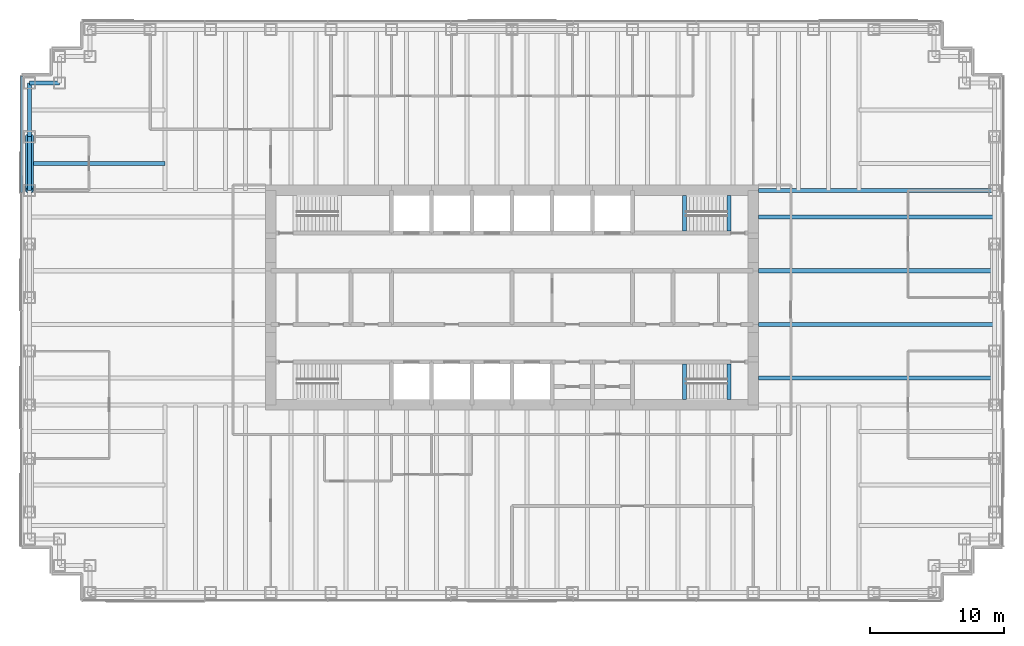
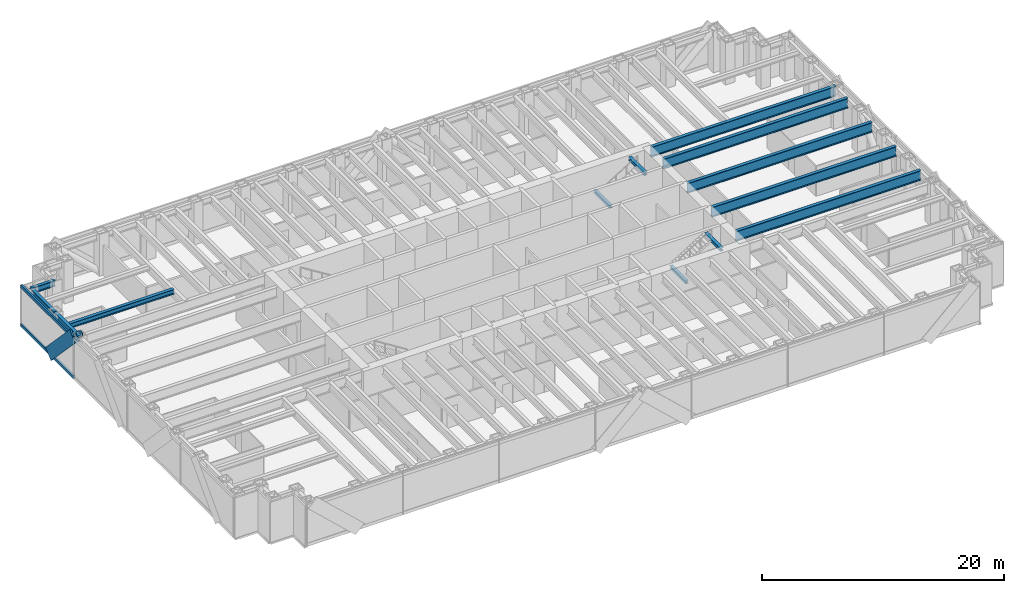
# One storey, part 4 of 14: 13 beams, 4 members, 1 element without a shape of its own.
"""IFC4 building model written with IfcOpenShell, lengths in metres."""

from ifc_helpers import new_model, si_unit, direction, frame, origin, origin_2d, place, context, subcontext, project, spatial, rectangle, hollow_circle, i_section, extrude, material, material_profile, profile_set, type_object, element, aggregate, save


model = new_model("IFC4")

# Units and contexts
model_context = context("Model", 3, precision=1e-05, world=origin(), true_north=direction((0.0, 1.0)))
body_context = subcontext(model_context, "Body", "Model", "MODEL_VIEW")
ifc_project = project(units=[si_unit("LENGTHUNIT", "METRE"), si_unit("AREAUNIT", "SQUARE_METRE"), si_unit("VOLUMEUNIT", "CUBIC_METRE"), si_unit("PLANEANGLEUNIT", "RADIAN"), si_unit("MASSUNIT", "GRAM", prefix="KILO")], contexts=[model_context])

# Site, building, storey
site_placement = place(None, origin())
site = spatial("IfcSite", under=ifc_project, at=site_placement, CompositionType="ELEMENT")
building_placement = place(site_placement, origin())
building = spatial("IfcBuilding", under=site, at=building_placement, Name="Rheinbord Bourse Tower", CompositionType="ELEMENT")
storey_placement = place(building_placement, frame((0.0, 0.0, 240.39990234375)))
storey = spatial("IfcBuildingStorey", under=building, at=storey_placement, Name="L54", CompositionType="ELEMENT", Elevation=240.39990234375)

# Curtain wall, members
ifc_material_1 = material(Name="Dark glass and black aluminium", Category="aluminium")
curtain_wall_type = type_object("IfcCurtainWallType", Name="CW2 DARK GLASS CURTAIN WALL", PredefinedType="USERDEFINED", material=ifc_material_1)
curtain_wall_placement = place(storey_placement, origin())
curtain_wall = element("IfcCurtainWall", 1, at=curtain_wall_placement, inside=storey, type_object=curtain_wall_type, Name="Curtain wall CW2 W L54", ObjectType="UNITISED CURTAIN WALL", PredefinedType="USERDEFINED")
ifc_material_2 = material(Name="Black anodised aluminium", Category="aluminium")
ifc_material_profile_1 = material_profile(ifc_material_2, rectangle(XDim=0.159912109375, YDim=1.2099609375, at=origin_2d()), Name="CW2 DIAGONAL MULLION 1210x160")
ifc_profile_set_1 = profile_set([ifc_material_profile_1], Name="Black anodised aluminium")
member_type_1 = type_object("IfcMemberType", Name="CW2 BLACK DIAGONAL MULLION", PredefinedType="USERDEFINED", material=ifc_profile_set_1)
member_1_placement = place(storey_placement, frame((-0.60009765625, 36.0, 0.0), z_axis=(0.0, -0.689638355374, 0.72415394689), x_axis=(1.0, 0.0, 0.0)))
member_1 = element("IfcMember", 2, at=member_1_placement, type_object=member_type_1, Name="CW2 diagonal mullion b", ObjectType="DIAGONAL MULLION", PredefinedType="USERDEFINED", context=body_context, shape_type="SweptSolid", body=[
    extrude(rectangle(XDim=0.159912109375, YDim=1.2099609375, at=origin_2d()), origin(), (0.0, 0.0, 1.0), 5.800048828125),
])
ifc_material_3 = material(Name="Black anodised aluminium", Category="aluminium")
ifc_material_profile_2 = material_profile(ifc_material_3, rectangle(XDim=0.159912109375, YDim=0.300048828125, at=origin_2d()), Name="CW2 TRANSOM 300x160")
ifc_profile_set_2 = profile_set([ifc_material_profile_2], Name="Black anodised aluminium")
member_type_2 = type_object("IfcMemberType", Name="CW2 BLACK TRANSOM", PredefinedType="USERDEFINED", material=ifc_profile_set_2)
member_2_placement = place(storey_placement, frame((-0.60009765625, 40.530029296875, 0.150146484375), z_axis=(0.0, -1.0, 0.0), x_axis=(1.0, 0.0, 0.0)))
member_2 = element("IfcMember", 3, at=member_2_placement, type_object=member_type_2, Name="CW2 transom 1.1", ObjectType="TRANSOM", PredefinedType="USERDEFINED", context=body_context, shape_type="SweptSolid", body=[
    extrude(rectangle(XDim=0.159912109375, YDim=0.300048828125, at=origin_2d()), origin(), (0.0, 0.0, 1.0), 8.695068359375),
])
member_3_placement = place(storey_placement, frame((-0.60009765625, 40.530029296875, 4.050048828125), z_axis=(0.0, -1.0, 0.0), x_axis=(1.0, 0.0, 0.0)))
member_3 = element("IfcMember", 4, at=member_3_placement, type_object=member_type_2, Name="CW2 transom 1.2", ObjectType="TRANSOM", PredefinedType="USERDEFINED", context=body_context, shape_type="SweptSolid", body=[
    extrude(rectangle(XDim=0.159912109375, YDim=0.300048828125, at=origin_2d()), origin(), (0.0, 0.0, 1.0), 8.695068359375),
])
aggregate(curtain_wall, [member_2, member_3, member_1])

# Beams
ifc_material_4 = material(Name="Steel S460", Category="steel")
ifc_material_profile_3 = material_profile(ifc_material_4, i_section(OverallWidth=0.302001953125, OverallDepth=1.008056640625, WebThickness=0.02099609375, FlangeThickness=0.0400390625, at=origin_2d()), Name="HEM 1000")
ifc_profile_set_3 = profile_set([ifc_material_profile_3], Name="Steel S460")
beam_type_1 = type_object("IfcBeamType", Name="END BEAM HEM 1000", PredefinedType="BEAM", material=ifc_profile_set_3)
for number, where, z_axis, x_axis, name in (
    (5, (54.39990234375, 18.0, 3.5361328125), (1.0, 0.0, 0.0), (0.0, 1.0, 0.0), "End beam east 18 L55"),
    (6, (54.39990234375, 22.0, 3.5361328125), (1.0, 0.0, 0.0), (0.0, 1.0, 0.0), "End beam east 22 L55"),
    (7, (54.39990234375, 26.0, 3.5361328125), (1.0, 0.0, 0.0), (0.0, 1.0, 0.0), "End beam east 26 L55"),
    (8, (54.39990234375, 30.0, 3.5361328125), (1.0, 0.0, 0.0), (0.0, 1.0, 0.0), "End beam east 30 L55"),
):
    element("IfcBeam", number, at=place(storey_placement, frame(where, z_axis=z_axis, x_axis=x_axis)), inside=storey, type_object=beam_type_1, Name=name, PredefinedType="BEAM", context=body_context, shape_type="SweptSolid", body=[
        extrude(i_section(OverallWidth=0.302001953125, OverallDepth=1.008056640625, WebThickness=0.02099609375, FlangeThickness=0.0400390625, at=origin_2d()), origin(), (0.0, 0.0, 1.0), 17.60009765625),
    ])
ifc_material_5 = material(Name="Steel S460", Category="steel")
ifc_material_profile_4 = material_profile(ifc_material_5, i_section(OverallWidth=0.302001953125, OverallDepth=1.008056640625, WebThickness=0.02099609375, FlangeThickness=0.0400390625, at=origin_2d()), Name="HEM 1000")
ifc_profile_set_4 = profile_set([ifc_material_profile_4], Name="Steel S460")
beam_type_2 = type_object("IfcBeamType", Name="GIRDER HEM 1000", PredefinedType="BEAM", material=ifc_profile_set_4)
beam_1_placement = place(storey_placement, frame((54.39990234375, 32.0, 3.5361328125), z_axis=(1.0, 0.0, 0.0), x_axis=(0.0, 1.0, 0.0)))
element("IfcBeam", 9, at=beam_1_placement, inside=storey, type_object=beam_type_2, Name="Girder east 32 L55", PredefinedType="BEAM", context=body_context, shape_type="SweptSolid", body=[
    extrude(i_section(OverallWidth=0.302001953125, OverallDepth=1.008056640625, WebThickness=0.02099609375, FlangeThickness=0.0400390625, at=origin_2d()), origin(), (0.0, 0.0, 1.0), 17.60009765625),
])
ifc_material_6 = material(Name="Steel S460", Category="steel")
ifc_material_profile_5 = material_profile(ifc_material_6, i_section(OverallWidth=0.300048828125, OverallDepth=0.300048828125, WebThickness=0.010986328125, FlangeThickness=0.01904296875, at=origin_2d()), Name="HEB 300")
ifc_profile_set_5 = profile_set([ifc_material_profile_5], Name="Steel S460")
beam_type_3 = type_object("IfcBeamType", Name="LANDING TRIMMER HEB 300", PredefinedType="BEAM", material=ifc_profile_set_5)
for number, where, z_axis, x_axis, name in (
    (10, (48.8701171875, 16.39990234375, 1.75), (0.0, 1.0, 0.0), (-1.0, 0.0, 0.0), "Landing trimmer ST3 L54"),
    (11, (52.199951171875, 16.39990234375, 3.89013671875), (0.0, 1.0, 0.0), (-1.0, 0.0, 0.0), "Well trimmer ST3 under L55"),
    (12, (48.8701171875, 28.949951171875, 1.75), (0.0, 1.0, 0.0), (-1.0, 0.0, 0.0), "Landing trimmer ST4 L54"),
    (13, (52.199951171875, 28.949951171875, 3.89013671875), (0.0, 1.0, 0.0), (-1.0, 0.0, 0.0), "Well trimmer ST4 under L55"),
):
    element("IfcBeam", number, at=place(storey_placement, frame(where, z_axis=z_axis, x_axis=x_axis)), inside=storey, type_object=beam_type_3, Name=name, PredefinedType="BEAM", context=body_context, shape_type="SweptSolid", body=[
        extrude(i_section(OverallWidth=0.300048828125, OverallDepth=0.300048828125, WebThickness=0.010986328125, FlangeThickness=0.01904296875, at=origin_2d()), origin(), (0.0, 0.0, 1.0), 2.650146484375),
    ])

# Member
ifc_material_7 = material(Name="Steel S460", Category="steel")
ifc_material_profile_6 = material_profile(ifc_material_7, hollow_circle(Radius=0.304931640625, WallThickness=0.0400390625, at=origin_2d()), Name="CHS 610x40")
ifc_profile_set_6 = profile_set([ifc_material_profile_6], Name="Steel S460")
member_type_3 = type_object("IfcMemberType", Name="MEGABRACE CHS 610x40", PredefinedType="BRACE", material=ifc_profile_set_6)
member_4_placement = place(storey_placement, frame((0.0, 36.0, 0.0), z_axis=(0.0, -0.689638355374, 0.72415394689), x_axis=(1.0, 0.0, 0.0)))
element("IfcMember", 14, at=member_4_placement, inside=storey, type_object=member_type_3, Name="Megabrace W face line b L54", PredefinedType="BRACE", context=body_context, shape_type="SweptSolid", body=[
    extrude(hollow_circle(Radius=0.304931640625, WallThickness=0.0400390625, at=origin_2d()), origin(), (0.0, 0.0, 1.0), 5.800048828125),
])

# Beams
ifc_material_8 = material(Name="Steel S460", Category="steel")
ifc_material_profile_7 = material_profile(ifc_material_8, i_section(OverallWidth=0.300048828125, OverallDepth=0.60009765625, WebThickness=0.015380859375, FlangeThickness=0.030029296875, at=origin_2d()), Name="HEB 600")
ifc_profile_set_7 = profile_set([ifc_material_profile_7], Name="Steel S460")
beam_type_4 = type_object("IfcBeamType", Name="SPANDREL HEB 600", PredefinedType="SPANDREL", material=ifc_profile_set_7)
beam_2_placement = place(storey_placement, frame((2.25, 40.0, 3.739990234375), z_axis=(-1.0, 0.0, 0.0), x_axis=(0.0, -1.0, 0.0)))
element("IfcBeam", 15, at=beam_2_placement, inside=storey, type_object=beam_type_4, Name="Spandrel NW-B-NW-A under L55", PredefinedType="SPANDREL", context=body_context, shape_type="SweptSolid", body=[
    extrude(i_section(OverallWidth=0.300048828125, OverallDepth=0.60009765625, WebThickness=0.015380859375, FlangeThickness=0.030029296875, at=origin_2d()), origin(), (0.0, 0.0, 1.0), 2.25),
])
for number, where, z_axis, x_axis, name in (
    (16, (0.0, 40.0, 3.739990234375), (0.0, -1.0, 0.0), (1.0, 0.0, 0.0), "Spandrel NW-A-W-36 under L55"),
    (17, (0.0, 36.0, 3.739990234375), (0.0, -1.0, 0.0), (1.0, 0.0, 0.0), "Spandrel W-36-W-32 under L55"),
):
    element("IfcBeam", number, at=place(storey_placement, frame(where, z_axis=z_axis, x_axis=x_axis)), inside=storey, type_object=beam_type_4, Name=name, PredefinedType="SPANDREL", context=body_context, shape_type="SweptSolid", body=[
        extrude(i_section(OverallWidth=0.300048828125, OverallDepth=0.60009765625, WebThickness=0.015380859375, FlangeThickness=0.030029296875, at=origin_2d()), origin(), (0.0, 0.0, 1.0), 4.0),
    ])
ifc_material_9 = material(Name="Steel S460", Category="steel")
ifc_material_profile_8 = material_profile(ifc_material_9, i_section(OverallWidth=0.300048828125, OverallDepth=0.5, WebThickness=0.014404296875, FlangeThickness=0.028076171875, at=origin_2d()), Name="HEB 500")
ifc_profile_set_8 = profile_set([ifc_material_profile_8], Name="Steel S460")
beam_type_5 = type_object("IfcBeamType", Name="TIE BEAM HEB 500", PredefinedType="JOIST", material=ifc_profile_set_8)
beam_3_placement = place(storey_placement, frame((0.0, 34.0, 3.7900390625), z_axis=(1.0, 0.0, 0.0), x_axis=(0.0, 1.0, 0.0)))
element("IfcBeam", 18, at=beam_3_placement, inside=storey, type_object=beam_type_5, Name="Tie west 34 L55", PredefinedType="JOIST", context=body_context, shape_type="SweptSolid", body=[
    extrude(i_section(OverallWidth=0.300048828125, OverallDepth=0.5, WebThickness=0.014404296875, FlangeThickness=0.028076171875, at=origin_2d()), origin(), (0.0, 0.0, 1.0), 10.125),
])

save(model, "model.ifc")
